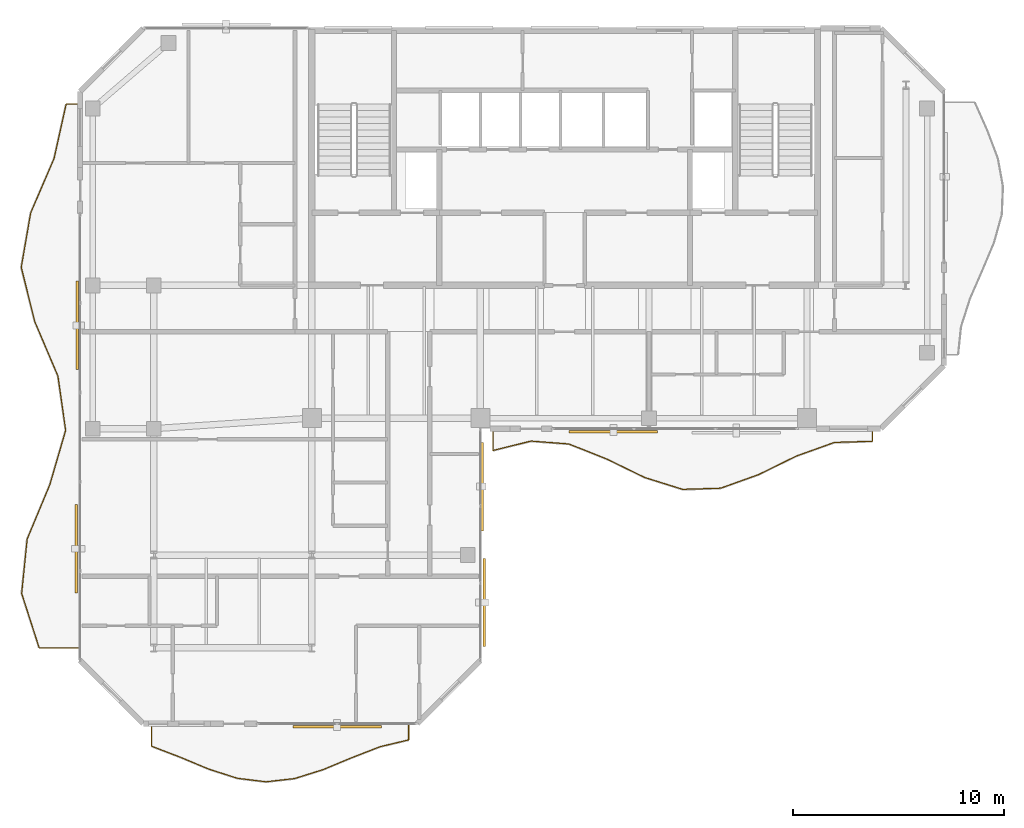
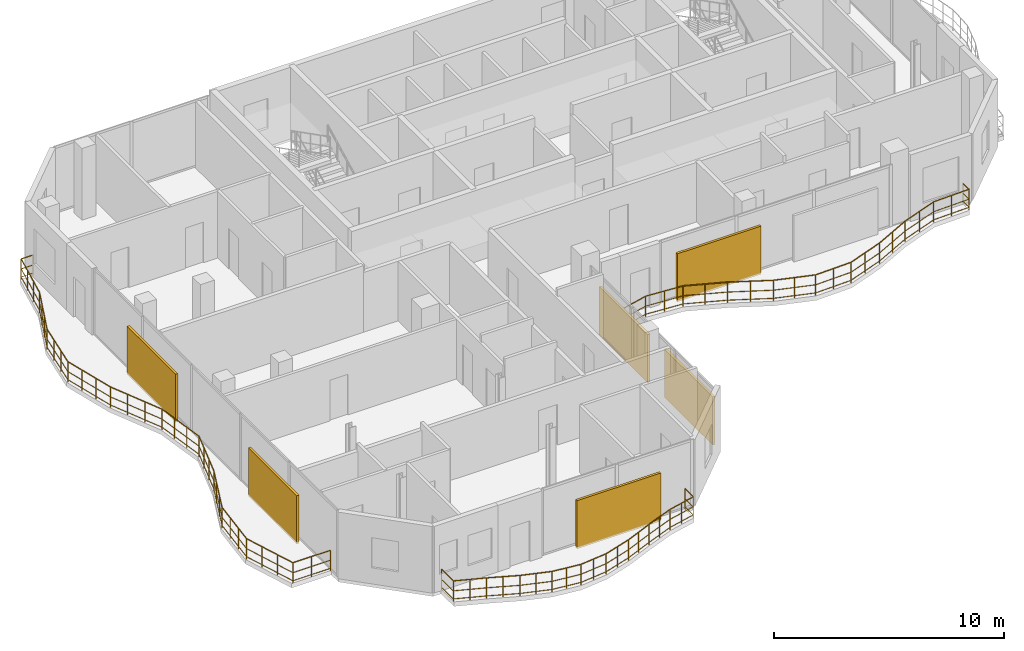
# One storey, part 21 of 22: 6 shading devices, 3 railings.
"""IFC4 building model written with IfcOpenShell, lengths in metres."""

from ifc_helpers import new_model, si_unit, direction, frame, origin, origin_2d, place, context, subcontext, project, spatial, rectangle, circle, extrude, material, type_object, element, save


model = new_model("IFC4")

# Units and contexts
model_context = context("Model", 3, precision=1e-05, world=origin(), true_north=direction((0.0, 1.0)))
body_context = subcontext(model_context, "Body", "Model", "MODEL_VIEW")
ifc_project = project(units=[si_unit("LENGTHUNIT", "METRE"), si_unit("AREAUNIT", "SQUARE_METRE"), si_unit("VOLUMEUNIT", "CUBIC_METRE"), si_unit("PLANEANGLEUNIT", "RADIAN"), si_unit("MASSUNIT", "GRAM", prefix="KILO")], contexts=[model_context])

# Site, building, storey
site_placement = place(None, origin())
site = spatial("IfcSite", under=ifc_project, at=site_placement, CompositionType="ELEMENT")
building_placement = place(site_placement, origin())
building = spatial("IfcBuilding", under=site, at=building_placement, Name="Catumbela Crestline Tower", CompositionType="ELEMENT")
storey_placement = place(building_placement, frame((0.0, 0.0, 260.2)))
storey = spatial("IfcBuildingStorey", under=building, at=storey_placement, Name="L67", CompositionType="ELEMENT", Elevation=260.2)

# Railings
ifc_material_1 = material(Name="Stainless steel EN 1.4401", Category="steel")
railing_type = type_object("IfcRailingType", Name="RB-1100", PredefinedType="BALUSTRADE", material=ifc_material_1)
railing_1_placement = place(storey_placement, frame((24.6, 23.94, 0.0)))
element("IfcRailing", 1, at=railing_1_placement, inside=storey, type_object=railing_type, Name="L67 Private Wave Balcony Balustrade 1", PredefinedType="BALUSTRADE", context=body_context, shape_type="SweptSolid", body=[
    extrude(circle(Radius=0.024, at=origin_2d()), frame((0.0, 0.0, 1.076), z_axis=(0.0, -1.0, 0.0), x_axis=(1.0, 0.0, 0.0)), (0.0, 0.0, 1.0), 0.9747),
    extrude(circle(Radius=0.0156, at=origin_2d()), frame((0.0, 0.0, 0.55), z_axis=(0.0, -1.0, 0.0), x_axis=(1.0, 0.0, 0.0)), (0.0, 0.0, 1.0), 0.9747),
    extrude(circle(Radius=0.0156, at=origin_2d()), frame((0.0, 0.0, 0.12), z_axis=(0.0, -1.0, 0.0), x_axis=(1.0, 0.0, 0.0)), (0.0, 0.0, 1.0), 0.9747),
    extrude(circle(Radius=0.024, at=origin_2d()), frame((0.0, -0.9747, 1.076), z_axis=(0.97081135802, 0.239844339395, 0.0), x_axis=(-0.239844339395, 0.97081135802, 0.0)), (0.0, 0.0, 1.0), 1.8541),
    extrude(circle(Radius=0.0156, at=origin_2d()), frame((0.0, -0.9747, 0.55), z_axis=(0.97081135802, 0.239844339395, 0.0), x_axis=(-0.239844339395, 0.97081135802, 0.0)), (0.0, 0.0, 1.0), 1.8541),
    extrude(circle(Radius=0.0156, at=origin_2d()), frame((0.0, -0.9747, 0.12), z_axis=(0.97081135802, 0.239844339395, 0.0), x_axis=(-0.239844339395, 0.97081135802, 0.0)), (0.0, 0.0, 1.0), 1.8541),
    extrude(circle(Radius=0.024, at=origin_2d()), frame((1.8, -0.53, 1.076), z_axis=(0.9971244509, -0.075781458268, 0.0), x_axis=(0.075781458268, 0.9971244509, 0.0)), (0.0, 0.0, 1.0), 1.8052),
    extrude(circle(Radius=0.0156, at=origin_2d()), frame((1.8, -0.53, 0.55), z_axis=(0.9971244509, -0.075781458268, 0.0), x_axis=(0.075781458268, 0.9971244509, 0.0)), (0.0, 0.0, 1.0), 1.8052),
    extrude(circle(Radius=0.0156, at=origin_2d()), frame((1.8, -0.53, 0.12), z_axis=(0.9971244509, -0.075781458268, 0.0), x_axis=(0.075781458268, 0.9971244509, 0.0)), (0.0, 0.0, 1.0), 1.8052),
    extrude(circle(Radius=0.024, at=origin_2d()), frame((3.6, -0.6668, 1.076), z_axis=(0.929399644581, -0.369074925526, 0.0), x_axis=(0.369074925526, 0.929399644581, 0.0)), (0.0, 0.0, 1.0), 1.9367),
    extrude(circle(Radius=0.0156, at=origin_2d()), frame((3.6, -0.6668, 0.55), z_axis=(0.929399644581, -0.369074925526, 0.0), x_axis=(0.369074925526, 0.929399644581, 0.0)), (0.0, 0.0, 1.0), 1.9367),
    extrude(circle(Radius=0.0156, at=origin_2d()), frame((3.6, -0.6668, 0.12), z_axis=(0.929399644581, -0.369074925526, 0.0), x_axis=(0.369074925526, 0.929399644581, 0.0)), (0.0, 0.0, 1.0), 1.9367),
    extrude(circle(Radius=0.024, at=origin_2d()), frame((5.4, -1.3816, 1.076), z_axis=(0.899073055886, -0.437798629714, 0.0), x_axis=(0.437798629714, 0.899073055886, 0.0)), (0.0, 0.0, 1.0), 2.0021),
    extrude(circle(Radius=0.0156, at=origin_2d()), frame((5.4, -1.3816, 0.55), z_axis=(0.899073055886, -0.437798629714, 0.0), x_axis=(0.437798629714, 0.899073055886, 0.0)), (0.0, 0.0, 1.0), 2.0021),
    extrude(circle(Radius=0.0156, at=origin_2d()), frame((5.4, -1.3816, 0.12), z_axis=(0.899073055886, -0.437798629714, 0.0), x_axis=(0.437798629714, 0.899073055886, 0.0)), (0.0, 0.0, 1.0), 2.0021),
    extrude(circle(Radius=0.024, at=origin_2d()), frame((7.2, -2.2581, 1.076), z_axis=(0.954374253933, -0.298613099897, 0.0), x_axis=(0.298613099897, 0.954374253933, 0.0)), (0.0, 0.0, 1.0), 1.8861),
    extrude(circle(Radius=0.0156, at=origin_2d()), frame((7.2, -2.2581, 0.55), z_axis=(0.954374253933, -0.298613099897, 0.0), x_axis=(0.298613099897, 0.954374253933, 0.0)), (0.0, 0.0, 1.0), 1.8861),
    extrude(circle(Radius=0.0156, at=origin_2d()), frame((7.2, -2.2581, 0.12), z_axis=(0.954374253933, -0.298613099897, 0.0), x_axis=(0.298613099897, 0.954374253933, 0.0)), (0.0, 0.0, 1.0), 1.8861),
    extrude(circle(Radius=0.024, at=origin_2d()), frame((9.0, -2.8213, 1.076), z_axis=(0.999524991442, 0.030818687236, 0.0), x_axis=(-0.030818687236, 0.999524991442, 0.0)), (0.0, 0.0, 1.0), 1.8009),
    extrude(circle(Radius=0.0156, at=origin_2d()), frame((9.0, -2.8213, 0.55), z_axis=(0.999524991442, 0.030818687236, 0.0), x_axis=(-0.030818687236, 0.999524991442, 0.0)), (0.0, 0.0, 1.0), 1.8009),
    extrude(circle(Radius=0.0156, at=origin_2d()), frame((9.0, -2.8213, 0.12), z_axis=(0.999524991442, 0.030818687236, 0.0), x_axis=(-0.030818687236, 0.999524991442, 0.0)), (0.0, 0.0, 1.0), 1.8009),
    extrude(circle(Radius=0.024, at=origin_2d()), frame((10.8, -2.7658, 1.076), z_axis=(0.941535818516, 0.336912900392, 0.0), x_axis=(-0.336912900392, 0.941535818516, 0.0)), (0.0, 0.0, 1.0), 1.9118),
    extrude(circle(Radius=0.0156, at=origin_2d()), frame((10.8, -2.7658, 0.55), z_axis=(0.941535818516, 0.336912900392, 0.0), x_axis=(-0.336912900392, 0.941535818516, 0.0)), (0.0, 0.0, 1.0), 1.9118),
    extrude(circle(Radius=0.0156, at=origin_2d()), frame((10.8, -2.7658, 0.12), z_axis=(0.941535818516, 0.336912900392, 0.0), x_axis=(-0.336912900392, 0.941535818516, 0.0)), (0.0, 0.0, 1.0), 1.9118),
    extrude(circle(Radius=0.024, at=origin_2d()), frame((12.6, -2.1217, 1.076), z_axis=(0.897714236936, 0.440578198283, 0.0), x_axis=(-0.440578198283, 0.897714236936, 0.0)), (0.0, 0.0, 1.0), 2.0051),
    extrude(circle(Radius=0.0156, at=origin_2d()), frame((12.6, -2.1217, 0.55), z_axis=(0.897714236936, 0.440578198283, 0.0), x_axis=(-0.440578198283, 0.897714236936, 0.0)), (0.0, 0.0, 1.0), 2.0051),
    extrude(circle(Radius=0.0156, at=origin_2d()), frame((12.6, -2.1217, 0.12), z_axis=(0.897714236936, 0.440578198283, 0.0), x_axis=(-0.440578198283, 0.897714236936, 0.0)), (0.0, 0.0, 1.0), 2.0051),
    extrude(circle(Radius=0.024, at=origin_2d()), frame((14.4, -1.2383, 1.076), z_axis=(0.941535818516, 0.336912900392, 0.0), x_axis=(-0.336912900392, 0.941535818516, 0.0)), (0.0, 0.0, 1.0), 1.9118),
    extrude(circle(Radius=0.0156, at=origin_2d()), frame((14.4, -1.2383, 0.55), z_axis=(0.941535818516, 0.336912900392, 0.0), x_axis=(-0.336912900392, 0.941535818516, 0.0)), (0.0, 0.0, 1.0), 1.9118),
    extrude(circle(Radius=0.0156, at=origin_2d()), frame((14.4, -1.2383, 0.12), z_axis=(0.941535818516, 0.336912900392, 0.0), x_axis=(-0.336912900392, 0.941535818516, 0.0)), (0.0, 0.0, 1.0), 1.9118),
    extrude(circle(Radius=0.024, at=origin_2d()), frame((16.2, -0.5942, 1.076), z_axis=(0.999524991442, 0.030818687236, 0.0), x_axis=(-0.030818687236, 0.999524991442, 0.0)), (0.0, 0.0, 1.0), 1.8009),
    extrude(circle(Radius=0.0156, at=origin_2d()), frame((16.2, -0.5942, 0.55), z_axis=(0.999524991442, 0.030818687236, 0.0), x_axis=(-0.030818687236, 0.999524991442, 0.0)), (0.0, 0.0, 1.0), 1.8009),
    extrude(circle(Radius=0.0156, at=origin_2d()), frame((16.2, -0.5942, 0.12), z_axis=(0.999524991442, 0.030818687236, 0.0), x_axis=(-0.030818687236, 0.999524991442, 0.0)), (0.0, 0.0, 1.0), 1.8009),
    extrude(circle(Radius=0.024, at=origin_2d()), frame((18.0, -0.5387, 1.076), z_axis=(0.0, 1.0, 0.0), x_axis=(-1.0, 0.0, 0.0)), (0.0, 0.0, 1.0), 0.5387),
    extrude(circle(Radius=0.0156, at=origin_2d()), frame((18.0, -0.5387, 0.55), z_axis=(0.0, 1.0, 0.0), x_axis=(-1.0, 0.0, 0.0)), (0.0, 0.0, 1.0), 0.5387),
    extrude(circle(Radius=0.0156, at=origin_2d()), frame((18.0, -0.5387, 0.12), z_axis=(0.0, 1.0, 0.0), x_axis=(-1.0, 0.0, 0.0)), (0.0, 0.0, 1.0), 0.5387),
    extrude(circle(Radius=0.021, at=origin_2d()), origin(), (0.0, 0.0, 1.0), 1.052),
    extrude(circle(Radius=0.021, at=origin_2d()), frame((0.0, -0.9747, 0.0)), (0.0, 0.0, 1.0), 1.052),
    extrude(circle(Radius=0.021, at=origin_2d()), frame((0.9, -0.7524, 0.0)), (0.0, 0.0, 1.0), 1.052),
    extrude(circle(Radius=0.021, at=origin_2d()), frame((1.8, -0.53, 0.0)), (0.0, 0.0, 1.0), 1.052),
    extrude(circle(Radius=0.021, at=origin_2d()), frame((2.7, -0.5984, 0.0)), (0.0, 0.0, 1.0), 1.052),
    extrude(circle(Radius=0.021, at=origin_2d()), frame((3.6, -0.6668, 0.0)), (0.0, 0.0, 1.0), 1.052),
    extrude(circle(Radius=0.021, at=origin_2d()), frame((4.5, -1.0242, 0.0)), (0.0, 0.0, 1.0), 1.052),
    extrude(circle(Radius=0.021, at=origin_2d()), frame((5.4, -1.3816, 0.0)), (0.0, 0.0, 1.0), 1.052),
    extrude(circle(Radius=0.021, at=origin_2d()), frame((6.3, -1.8199, 0.0)), (0.0, 0.0, 1.0), 1.052),
    extrude(circle(Radius=0.021, at=origin_2d()), frame((7.2, -2.2581, 0.0)), (0.0, 0.0, 1.0), 1.052),
    extrude(circle(Radius=0.021, at=origin_2d()), frame((8.1, -2.5397, 0.0)), (0.0, 0.0, 1.0), 1.052),
    extrude(circle(Radius=0.021, at=origin_2d()), frame((9.0, -2.8213, 0.0)), (0.0, 0.0, 1.0), 1.052),
    extrude(circle(Radius=0.021, at=origin_2d()), frame((9.9, -2.7936, 0.0)), (0.0, 0.0, 1.0), 1.052),
    extrude(circle(Radius=0.021, at=origin_2d()), frame((10.8, -2.7658, 0.0)), (0.0, 0.0, 1.0), 1.052),
    extrude(circle(Radius=0.021, at=origin_2d()), frame((11.7, -2.4438, 0.0)), (0.0, 0.0, 1.0), 1.052),
    extrude(circle(Radius=0.021, at=origin_2d()), frame((12.6, -2.1217, 0.0)), (0.0, 0.0, 1.0), 1.052),
    extrude(circle(Radius=0.021, at=origin_2d()), frame((13.5, -1.68, 0.0)), (0.0, 0.0, 1.0), 1.052),
    extrude(circle(Radius=0.021, at=origin_2d()), frame((14.4, -1.2383, 0.0)), (0.0, 0.0, 1.0), 1.052),
    extrude(circle(Radius=0.021, at=origin_2d()), frame((15.3, -0.9163, 0.0)), (0.0, 0.0, 1.0), 1.052),
    extrude(circle(Radius=0.021, at=origin_2d()), frame((16.2, -0.5942, 0.0)), (0.0, 0.0, 1.0), 1.052),
    extrude(circle(Radius=0.021, at=origin_2d()), frame((17.1, -0.5665, 0.0)), (0.0, 0.0, 1.0), 1.052),
    extrude(circle(Radius=0.021, at=origin_2d()), frame((18.0, -0.5387, 0.0)), (0.0, 0.0, 1.0), 1.052),
    extrude(circle(Radius=0.021, at=origin_2d()), frame((18.0, 0.0, 0.0)), (0.0, 0.0, 1.0), 1.052),
])
railing_2_placement = place(storey_placement, frame((8.4, 9.94, 0.0)))
element("IfcRailing", 2, at=railing_2_placement, inside=storey, type_object=railing_type, Name="L67 Private Wave Balcony Balustrade 3", PredefinedType="BALUSTRADE", context=body_context, shape_type="SweptSolid", body=[
    extrude(circle(Radius=0.024, at=origin_2d()), frame((0.0, 0.0, 1.076), z_axis=(0.0, -1.0, 0.0), x_axis=(1.0, 0.0, 0.0)), (0.0, 0.0, 1.0), 1.0126),
    extrude(circle(Radius=0.0156, at=origin_2d()), frame((0.0, 0.0, 0.55), z_axis=(0.0, -1.0, 0.0), x_axis=(1.0, 0.0, 0.0)), (0.0, 0.0, 1.0), 1.0126),
    extrude(circle(Radius=0.0156, at=origin_2d()), frame((0.0, 0.0, 0.12), z_axis=(0.0, -1.0, 0.0), x_axis=(1.0, 0.0, 0.0)), (0.0, 0.0, 1.0), 1.0126),
    extrude(circle(Radius=0.024, at=origin_2d()), frame((0.0, -1.0126, 1.076), z_axis=(0.933756860318, -0.357907985115, 0.0), x_axis=(0.357907985115, 0.933756860318, 0.0)), (0.0, 0.0, 1.0), 1.4518),
    extrude(circle(Radius=0.0156, at=origin_2d()), frame((0.0, -1.0126, 0.55), z_axis=(0.933756860318, -0.357907985115, 0.0), x_axis=(0.357907985115, 0.933756860318, 0.0)), (0.0, 0.0, 1.0), 1.4518),
    extrude(circle(Radius=0.0156, at=origin_2d()), frame((0.0, -1.0126, 0.12), z_axis=(0.933756860318, -0.357907985115, 0.0), x_axis=(0.357907985115, 0.933756860318, 0.0)), (0.0, 0.0, 1.0), 1.4518),
    extrude(circle(Radius=0.024, at=origin_2d()), frame((1.3556, -1.5322, 1.076), z_axis=(0.922808814946, -0.385258213484, 0.0), x_axis=(0.385258213484, 0.922808814946, 0.0)), (0.0, 0.0, 1.0), 1.4689),
    extrude(circle(Radius=0.0156, at=origin_2d()), frame((1.3556, -1.5322, 0.55), z_axis=(0.922808814946, -0.385258213484, 0.0), x_axis=(0.385258213484, 0.922808814946, 0.0)), (0.0, 0.0, 1.0), 1.4689),
    extrude(circle(Radius=0.0156, at=origin_2d()), frame((1.3556, -1.5322, 0.12), z_axis=(0.922808814946, -0.385258213484, 0.0), x_axis=(0.385258213484, 0.922808814946, 0.0)), (0.0, 0.0, 1.0), 1.4689),
    extrude(circle(Radius=0.024, at=origin_2d()), frame((2.7111, -2.0981, 1.076), z_axis=(0.952238826907, -0.305354247607, 0.0), x_axis=(0.305354247607, 0.952238826907, 0.0)), (0.0, 0.0, 1.0), 1.4236),
    extrude(circle(Radius=0.0156, at=origin_2d()), frame((2.7111, -2.0981, 0.55), z_axis=(0.952238826907, -0.305354247607, 0.0), x_axis=(0.305354247607, 0.952238826907, 0.0)), (0.0, 0.0, 1.0), 1.4236),
    extrude(circle(Radius=0.0156, at=origin_2d()), frame((2.7111, -2.0981, 0.12), z_axis=(0.952238826907, -0.305354247607, 0.0), x_axis=(0.305354247607, 0.952238826907, 0.0)), (0.0, 0.0, 1.0), 1.4236),
    extrude(circle(Radius=0.024, at=origin_2d()), frame((4.0667, -2.5328, 1.076), z_axis=(0.992487091948, -0.122349386252, 0.0), x_axis=(0.122349386252, 0.992487091948, 0.0)), (0.0, 0.0, 1.0), 1.3658),
    extrude(circle(Radius=0.0156, at=origin_2d()), frame((4.0667, -2.5328, 0.55), z_axis=(0.992487091948, -0.122349386252, 0.0), x_axis=(0.122349386252, 0.992487091948, 0.0)), (0.0, 0.0, 1.0), 1.3658),
    extrude(circle(Radius=0.0156, at=origin_2d()), frame((4.0667, -2.5328, 0.12), z_axis=(0.992487091948, -0.122349386252, 0.0), x_axis=(0.122349386252, 0.992487091948, 0.0)), (0.0, 0.0, 1.0), 1.3658),
    extrude(circle(Radius=0.024, at=origin_2d()), frame((5.4222, -2.6999, 1.076), z_axis=(0.993690941314, 0.112153079095, 0.0), x_axis=(-0.112153079095, 0.993690941314, 0.0)), (0.0, 0.0, 1.0), 1.3642),
    extrude(circle(Radius=0.0156, at=origin_2d()), frame((5.4222, -2.6999, 0.55), z_axis=(0.993690941314, 0.112153079095, 0.0), x_axis=(-0.112153079095, 0.993690941314, 0.0)), (0.0, 0.0, 1.0), 1.3642),
    extrude(circle(Radius=0.0156, at=origin_2d()), frame((5.4222, -2.6999, 0.12), z_axis=(0.993690941314, 0.112153079095, 0.0), x_axis=(-0.112153079095, 0.993690941314, 0.0)), (0.0, 0.0, 1.0), 1.3642),
    extrude(circle(Radius=0.024, at=origin_2d()), frame((6.7778, -2.5469, 1.076), z_axis=(0.954177625861, 0.299240803212, 0.0), x_axis=(-0.299240803212, 0.954177625861, 0.0)), (0.0, 0.0, 1.0), 1.4206),
    extrude(circle(Radius=0.0156, at=origin_2d()), frame((6.7778, -2.5469, 0.55), z_axis=(0.954177625861, 0.299240803212, 0.0), x_axis=(-0.299240803212, 0.954177625861, 0.0)), (0.0, 0.0, 1.0), 1.4206),
    extrude(circle(Radius=0.0156, at=origin_2d()), frame((6.7778, -2.5469, 0.12), z_axis=(0.954177625861, 0.299240803212, 0.0), x_axis=(-0.299240803212, 0.954177625861, 0.0)), (0.0, 0.0, 1.0), 1.4206),
    extrude(circle(Radius=0.024, at=origin_2d()), frame((8.1333, -2.1218, 1.076), z_axis=(0.92335075611, 0.383957525243, 0.0), x_axis=(-0.383957525243, 0.92335075611, 0.0)), (0.0, 0.0, 1.0), 1.4681),
    extrude(circle(Radius=0.0156, at=origin_2d()), frame((8.1333, -2.1218, 0.55), z_axis=(0.92335075611, 0.383957525243, 0.0), x_axis=(-0.383957525243, 0.92335075611, 0.0)), (0.0, 0.0, 1.0), 1.4681),
    extrude(circle(Radius=0.0156, at=origin_2d()), frame((8.1333, -2.1218, 0.12), z_axis=(0.92335075611, 0.383957525243, 0.0), x_axis=(-0.383957525243, 0.92335075611, 0.0)), (0.0, 0.0, 1.0), 1.4681),
    extrude(circle(Radius=0.024, at=origin_2d()), frame((9.4889, -1.5581, 1.076), z_axis=(0.932384965915, 0.361466838501, 0.0), x_axis=(-0.361466838501, 0.932384965915, 0.0)), (0.0, 0.0, 1.0), 1.4538),
    extrude(circle(Radius=0.0156, at=origin_2d()), frame((9.4889, -1.5581, 0.55), z_axis=(0.932384965915, 0.361466838501, 0.0), x_axis=(-0.361466838501, 0.932384965915, 0.0)), (0.0, 0.0, 1.0), 1.4538),
    extrude(circle(Radius=0.0156, at=origin_2d()), frame((9.4889, -1.5581, 0.12), z_axis=(0.932384965915, 0.361466838501, 0.0), x_axis=(-0.361466838501, 0.932384965915, 0.0)), (0.0, 0.0, 1.0), 1.4538),
    extrude(circle(Radius=0.024, at=origin_2d()), frame((10.8444, -1.0326, 1.076), z_axis=(0.972880857793, 0.231306801761, 0.0), x_axis=(-0.231306801761, 0.972880857793, 0.0)), (0.0, 0.0, 1.0), 1.3934),
    extrude(circle(Radius=0.0156, at=origin_2d()), frame((10.8444, -1.0326, 0.55), z_axis=(0.972880857793, 0.231306801761, 0.0), x_axis=(-0.231306801761, 0.972880857793, 0.0)), (0.0, 0.0, 1.0), 1.3934),
    extrude(circle(Radius=0.0156, at=origin_2d()), frame((10.8444, -1.0326, 0.12), z_axis=(0.972880857793, 0.231306801761, 0.0), x_axis=(-0.231306801761, 0.972880857793, 0.0)), (0.0, 0.0, 1.0), 1.3934),
    extrude(circle(Radius=0.024, at=origin_2d()), frame((12.2, -0.7103, 1.076), z_axis=(0.0, 1.0, 0.0), x_axis=(-1.0, 0.0, 0.0)), (0.0, 0.0, 1.0), 0.7103),
    extrude(circle(Radius=0.0156, at=origin_2d()), frame((12.2, -0.7103, 0.55), z_axis=(0.0, 1.0, 0.0), x_axis=(-1.0, 0.0, 0.0)), (0.0, 0.0, 1.0), 0.7103),
    extrude(circle(Radius=0.0156, at=origin_2d()), frame((12.2, -0.7103, 0.12), z_axis=(0.0, 1.0, 0.0), x_axis=(-1.0, 0.0, 0.0)), (0.0, 0.0, 1.0), 0.7103),
    extrude(circle(Radius=0.021, at=origin_2d()), origin(), (0.0, 0.0, 1.0), 1.052),
    extrude(circle(Radius=0.021, at=origin_2d()), frame((0.0, -1.0126, 0.0)), (0.0, 0.0, 1.0), 1.052),
    extrude(circle(Radius=0.021, at=origin_2d()), frame((0.6778, -1.2724, 0.0)), (0.0, 0.0, 1.0), 1.052),
    extrude(circle(Radius=0.021, at=origin_2d()), frame((1.3556, -1.5322, 0.0)), (0.0, 0.0, 1.0), 1.052),
    extrude(circle(Radius=0.021, at=origin_2d()), frame((2.0333, -1.8151, 0.0)), (0.0, 0.0, 1.0), 1.052),
    extrude(circle(Radius=0.021, at=origin_2d()), frame((2.7111, -2.0981, 0.0)), (0.0, 0.0, 1.0), 1.052),
    extrude(circle(Radius=0.021, at=origin_2d()), frame((3.3889, -2.3154, 0.0)), (0.0, 0.0, 1.0), 1.052),
    extrude(circle(Radius=0.021, at=origin_2d()), frame((4.0667, -2.5328, 0.0)), (0.0, 0.0, 1.0), 1.052),
    extrude(circle(Radius=0.021, at=origin_2d()), frame((4.7444, -2.6163, 0.0)), (0.0, 0.0, 1.0), 1.052),
    extrude(circle(Radius=0.021, at=origin_2d()), frame((5.4222, -2.6999, 0.0)), (0.0, 0.0, 1.0), 1.052),
    extrude(circle(Radius=0.021, at=origin_2d()), frame((6.1, -2.6234, 0.0)), (0.0, 0.0, 1.0), 1.052),
    extrude(circle(Radius=0.021, at=origin_2d()), frame((6.7778, -2.5469, 0.0)), (0.0, 0.0, 1.0), 1.052),
    extrude(circle(Radius=0.021, at=origin_2d()), frame((7.4556, -2.3343, 0.0)), (0.0, 0.0, 1.0), 1.052),
    extrude(circle(Radius=0.021, at=origin_2d()), frame((8.1333, -2.1218, 0.0)), (0.0, 0.0, 1.0), 1.052),
    extrude(circle(Radius=0.021, at=origin_2d()), frame((8.8111, -1.8399, 0.0)), (0.0, 0.0, 1.0), 1.052),
    extrude(circle(Radius=0.021, at=origin_2d()), frame((9.4889, -1.5581, 0.0)), (0.0, 0.0, 1.0), 1.052),
    extrude(circle(Radius=0.021, at=origin_2d()), frame((10.1666, -1.2953, 0.0)), (0.0, 0.0, 1.0), 1.052),
    extrude(circle(Radius=0.021, at=origin_2d()), frame((10.8444, -1.0326, 0.0)), (0.0, 0.0, 1.0), 1.052),
    extrude(circle(Radius=0.021, at=origin_2d()), frame((11.5222, -0.8714, 0.0)), (0.0, 0.0, 1.0), 1.052),
    extrude(circle(Radius=0.021, at=origin_2d()), frame((12.2, -0.7103, 0.0)), (0.0, 0.0, 1.0), 1.052),
    extrude(circle(Radius=0.021, at=origin_2d()), frame((12.2, 0.0, 0.0)), (0.0, 0.0, 1.0), 1.052),
])
railing_3_placement = place(storey_placement, frame((4.94, 39.4, 0.0)))
element("IfcRailing", 3, at=railing_3_placement, inside=storey, type_object=railing_type, Name="L67 Private Wave Balcony Balustrade 4", PredefinedType="BALUSTRADE", context=body_context, shape_type="SweptSolid", body=[
    extrude(circle(Radius=0.024, at=origin_2d()), frame((0.0, 0.0, 1.076), z_axis=(-1.0, 0.0, 0.0), x_axis=(0.0, -1.0, 0.0)), (0.0, 0.0, 1.0), 0.6),
    extrude(circle(Radius=0.0156, at=origin_2d()), frame((0.0, 0.0, 0.55), z_axis=(-1.0, 0.0, 0.0), x_axis=(0.0, -1.0, 0.0)), (0.0, 0.0, 1.0), 0.6),
    extrude(circle(Radius=0.0156, at=origin_2d()), frame((0.0, 0.0, 0.12), z_axis=(-1.0, 0.0, 0.0), x_axis=(0.0, -1.0, 0.0)), (0.0, 0.0, 1.0), 0.6),
    extrude(circle(Radius=0.024, at=origin_2d()), frame((-0.6, 0.0, 1.076), z_axis=(-0.21691843905, -0.976189730944, 0.0), x_axis=(0.976189730944, -0.21691843905, 0.0)), (0.0, 0.0, 1.0), 2.6429),
    extrude(circle(Radius=0.0156, at=origin_2d()), frame((-0.6, 0.0, 0.55), z_axis=(-0.21691843905, -0.976189730944, 0.0), x_axis=(0.976189730944, -0.21691843905, 0.0)), (0.0, 0.0, 1.0), 2.6429),
    extrude(circle(Radius=0.0156, at=origin_2d()), frame((-0.6, 0.0, 0.12), z_axis=(-0.21691843905, -0.976189730944, 0.0), x_axis=(0.976189730944, -0.21691843905, 0.0)), (0.0, 0.0, 1.0), 2.6429),
    extrude(circle(Radius=0.024, at=origin_2d()), frame((-1.1733, -2.58, 1.076), z_axis=(-0.395117897707, -0.918630419108, 0.0), x_axis=(0.918630419108, -0.395117897707, 0.0)), (0.0, 0.0, 1.0), 2.8085),
    extrude(circle(Radius=0.0156, at=origin_2d()), frame((-1.1733, -2.58, 0.55), z_axis=(-0.395117897707, -0.918630419108, 0.0), x_axis=(0.918630419108, -0.395117897707, 0.0)), (0.0, 0.0, 1.0), 2.8085),
    extrude(circle(Radius=0.0156, at=origin_2d()), frame((-1.1733, -2.58, 0.12), z_axis=(-0.395117897707, -0.918630419108, 0.0), x_axis=(0.918630419108, -0.395117897707, 0.0)), (0.0, 0.0, 1.0), 2.8085),
    extrude(circle(Radius=0.024, at=origin_2d()), frame((-2.283, -5.16, 1.076), z_axis=(-0.170712569492, -0.985320870893, 0.0), x_axis=(0.985320870893, -0.170712569492, 0.0)), (0.0, 0.0, 1.0), 2.6184),
    extrude(circle(Radius=0.0156, at=origin_2d()), frame((-2.283, -5.16, 0.55), z_axis=(-0.170712569492, -0.985320870893, 0.0), x_axis=(0.985320870893, -0.170712569492, 0.0)), (0.0, 0.0, 1.0), 2.6184),
    extrude(circle(Radius=0.0156, at=origin_2d()), frame((-2.283, -5.16, 0.12), z_axis=(-0.170712569492, -0.985320870893, 0.0), x_axis=(0.985320870893, -0.170712569492, 0.0)), (0.0, 0.0, 1.0), 2.6184),
    extrude(circle(Radius=0.024, at=origin_2d()), frame((-2.73, -7.74, 1.076), z_axis=(0.241331788548, -0.970442665919, 0.0), x_axis=(0.970442665919, 0.241331788548, 0.0)), (0.0, 0.0, 1.0), 2.6586),
    extrude(circle(Radius=0.0156, at=origin_2d()), frame((-2.73, -7.74, 0.55), z_axis=(0.241331788548, -0.970442665919, 0.0), x_axis=(0.970442665919, 0.241331788548, 0.0)), (0.0, 0.0, 1.0), 2.6586),
    extrude(circle(Radius=0.0156, at=origin_2d()), frame((-2.73, -7.74, 0.12), z_axis=(0.241331788548, -0.970442665919, 0.0), x_axis=(0.970442665919, 0.241331788548, 0.0)), (0.0, 0.0, 1.0), 2.6586),
    extrude(circle(Radius=0.024, at=origin_2d()), frame((-2.0884, -10.32, 1.076), z_axis=(0.391684292578, -0.920099676637, 0.0), x_axis=(0.920099676637, 0.391684292578, 0.0)), (0.0, 0.0, 1.0), 2.804),
    extrude(circle(Radius=0.0156, at=origin_2d()), frame((-2.0884, -10.32, 0.55), z_axis=(0.391684292578, -0.920099676637, 0.0), x_axis=(0.920099676637, 0.391684292578, 0.0)), (0.0, 0.0, 1.0), 2.804),
    extrude(circle(Radius=0.0156, at=origin_2d()), frame((-2.0884, -10.32, 0.12), z_axis=(0.391684292578, -0.920099676637, 0.0), x_axis=(0.920099676637, 0.391684292578, 0.0)), (0.0, 0.0, 1.0), 2.804),
    extrude(circle(Radius=0.024, at=origin_2d()), frame((-0.9901, -12.9, 1.076), z_axis=(0.14120647349, -0.9899801674, 0.0), x_axis=(0.9899801674, 0.14120647349, 0.0)), (0.0, 0.0, 1.0), 2.6061),
    extrude(circle(Radius=0.0156, at=origin_2d()), frame((-0.9901, -12.9, 0.55), z_axis=(0.14120647349, -0.9899801674, 0.0), x_axis=(0.9899801674, 0.14120647349, 0.0)), (0.0, 0.0, 1.0), 2.6061),
    extrude(circle(Radius=0.0156, at=origin_2d()), frame((-0.9901, -12.9, 0.12), z_axis=(0.14120647349, -0.9899801674, 0.0), x_axis=(0.9899801674, 0.14120647349, 0.0)), (0.0, 0.0, 1.0), 2.6061),
    extrude(circle(Radius=0.024, at=origin_2d()), frame((-0.6221, -15.48, 1.076), z_axis=(-0.279794228152, -0.960059992861, 0.0), x_axis=(0.960059992861, -0.279794228152, 0.0)), (0.0, 0.0, 1.0), 2.6873),
    extrude(circle(Radius=0.0156, at=origin_2d()), frame((-0.6221, -15.48, 0.55), z_axis=(-0.279794228152, -0.960059992861, 0.0), x_axis=(0.960059992861, -0.279794228152, 0.0)), (0.0, 0.0, 1.0), 2.6873),
    extrude(circle(Radius=0.0156, at=origin_2d()), frame((-0.6221, -15.48, 0.12), z_axis=(-0.279794228152, -0.960059992861, 0.0), x_axis=(0.960059992861, -0.279794228152, 0.0)), (0.0, 0.0, 1.0), 2.6873),
    extrude(circle(Radius=0.024, at=origin_2d()), frame((-1.374, -18.06, 1.076), z_axis=(-0.384859228707, -0.922975283569, 0.0), x_axis=(0.922975283569, -0.384859228707, 0.0)), (0.0, 0.0, 1.0), 2.7953),
    extrude(circle(Radius=0.0156, at=origin_2d()), frame((-1.374, -18.06, 0.55), z_axis=(-0.384859228707, -0.922975283569, 0.0), x_axis=(0.922975283569, -0.384859228707, 0.0)), (0.0, 0.0, 1.0), 2.7953),
    extrude(circle(Radius=0.0156, at=origin_2d()), frame((-1.374, -18.06, 0.12), z_axis=(-0.384859228707, -0.922975283569, 0.0), x_axis=(0.922975283569, -0.384859228707, 0.0)), (0.0, 0.0, 1.0), 2.7953),
    extrude(circle(Radius=0.024, at=origin_2d()), frame((-2.4498, -20.64, 1.076), z_axis=(-0.100610912369, -0.99492584865, 0.0), x_axis=(0.99492584865, -0.100610912369, 0.0)), (0.0, 0.0, 1.0), 2.5932),
    extrude(circle(Radius=0.0156, at=origin_2d()), frame((-2.4498, -20.64, 0.55), z_axis=(-0.100610912369, -0.99492584865, 0.0), x_axis=(0.99492584865, -0.100610912369, 0.0)), (0.0, 0.0, 1.0), 2.5932),
    extrude(circle(Radius=0.0156, at=origin_2d()), frame((-2.4498, -20.64, 0.12), z_axis=(-0.100610912369, -0.99492584865, 0.0), x_axis=(0.99492584865, -0.100610912369, 0.0)), (0.0, 0.0, 1.0), 2.5932),
    extrude(circle(Radius=0.024, at=origin_2d()), frame((-2.7107, -23.22, 1.076), z_axis=(0.306314915222, -0.951930235213, 0.0), x_axis=(0.951930235213, 0.306314915222, 0.0)), (0.0, 0.0, 1.0), 2.7103),
    extrude(circle(Radius=0.0156, at=origin_2d()), frame((-2.7107, -23.22, 0.55), z_axis=(0.306314915222, -0.951930235213, 0.0), x_axis=(0.951930235213, 0.306314915222, 0.0)), (0.0, 0.0, 1.0), 2.7103),
    extrude(circle(Radius=0.0156, at=origin_2d()), frame((-2.7107, -23.22, 0.12), z_axis=(0.306314915222, -0.951930235213, 0.0), x_axis=(0.951930235213, 0.306314915222, 0.0)), (0.0, 0.0, 1.0), 2.7103),
    extrude(circle(Radius=0.024, at=origin_2d()), frame((-1.8805, -25.8, 1.076), z_axis=(1.0, 0.0, 0.0), x_axis=(0.0, 1.0, 0.0)), (0.0, 0.0, 1.0), 1.8805),
    extrude(circle(Radius=0.0156, at=origin_2d()), frame((-1.8805, -25.8, 0.55), z_axis=(1.0, 0.0, 0.0), x_axis=(0.0, 1.0, 0.0)), (0.0, 0.0, 1.0), 1.8805),
    extrude(circle(Radius=0.0156, at=origin_2d()), frame((-1.8805, -25.8, 0.12), z_axis=(1.0, 0.0, 0.0), x_axis=(0.0, 1.0, 0.0)), (0.0, 0.0, 1.0), 1.8805),
    extrude(circle(Radius=0.021, at=origin_2d()), origin(), (0.0, 0.0, 1.0), 1.052),
    extrude(circle(Radius=0.021, at=origin_2d()), frame((-0.6, 0.0, 0.0)), (0.0, 0.0, 1.0), 1.052),
    extrude(circle(Radius=0.021, at=origin_2d()), frame((-0.7911, -0.86, 0.0)), (0.0, 0.0, 1.0), 1.052),
    extrude(circle(Radius=0.021, at=origin_2d()), frame((-0.9822, -1.72, 0.0)), (0.0, 0.0, 1.0), 1.052),
    extrude(circle(Radius=0.021, at=origin_2d()), frame((-1.1733, -2.58, 0.0)), (0.0, 0.0, 1.0), 1.052),
    extrude(circle(Radius=0.021, at=origin_2d()), frame((-1.5432, -3.44, 0.0)), (0.0, 0.0, 1.0), 1.052),
    extrude(circle(Radius=0.021, at=origin_2d()), frame((-1.9131, -4.3, 0.0)), (0.0, 0.0, 1.0), 1.052),
    extrude(circle(Radius=0.021, at=origin_2d()), frame((-2.283, -5.16, 0.0)), (0.0, 0.0, 1.0), 1.052),
    extrude(circle(Radius=0.021, at=origin_2d()), frame((-2.432, -6.02, 0.0)), (0.0, 0.0, 1.0), 1.052),
    extrude(circle(Radius=0.021, at=origin_2d()), frame((-2.581, -6.88, 0.0)), (0.0, 0.0, 1.0), 1.052),
    extrude(circle(Radius=0.021, at=origin_2d()), frame((-2.73, -7.74, 0.0)), (0.0, 0.0, 1.0), 1.052),
    extrude(circle(Radius=0.021, at=origin_2d()), frame((-2.5161, -8.6, 0.0)), (0.0, 0.0, 1.0), 1.052),
    extrude(circle(Radius=0.021, at=origin_2d()), frame((-2.3023, -9.46, 0.0)), (0.0, 0.0, 1.0), 1.052),
    extrude(circle(Radius=0.021, at=origin_2d()), frame((-2.0884, -10.32, 0.0)), (0.0, 0.0, 1.0), 1.052),
    extrude(circle(Radius=0.021, at=origin_2d()), frame((-1.7223, -11.18, 0.0)), (0.0, 0.0, 1.0), 1.052),
    extrude(circle(Radius=0.021, at=origin_2d()), frame((-1.3562, -12.04, 0.0)), (0.0, 0.0, 1.0), 1.052),
    extrude(circle(Radius=0.021, at=origin_2d()), frame((-0.9901, -12.9, 0.0)), (0.0, 0.0, 1.0), 1.052),
    extrude(circle(Radius=0.021, at=origin_2d()), frame((-0.8674, -13.76, 0.0)), (0.0, 0.0, 1.0), 1.052),
    extrude(circle(Radius=0.021, at=origin_2d()), frame((-0.7448, -14.62, 0.0)), (0.0, 0.0, 1.0), 1.052),
    extrude(circle(Radius=0.021, at=origin_2d()), frame((-0.6221, -15.48, 0.0)), (0.0, 0.0, 1.0), 1.052),
    extrude(circle(Radius=0.021, at=origin_2d()), frame((-0.8727, -16.34, 0.0)), (0.0, 0.0, 1.0), 1.052),
    extrude(circle(Radius=0.021, at=origin_2d()), frame((-1.1234, -17.2, 0.0)), (0.0, 0.0, 1.0), 1.052),
    extrude(circle(Radius=0.021, at=origin_2d()), frame((-1.374, -18.06, 0.0)), (0.0, 0.0, 1.0), 1.052),
    extrude(circle(Radius=0.021, at=origin_2d()), frame((-1.7326, -18.92, 0.0)), (0.0, 0.0, 1.0), 1.052),
    extrude(circle(Radius=0.021, at=origin_2d()), frame((-2.0912, -19.78, 0.0)), (0.0, 0.0, 1.0), 1.052),
    extrude(circle(Radius=0.021, at=origin_2d()), frame((-2.4498, -20.64, 0.0)), (0.0, 0.0, 1.0), 1.052),
    extrude(circle(Radius=0.021, at=origin_2d()), frame((-2.5368, -21.5, 0.0)), (0.0, 0.0, 1.0), 1.052),
    extrude(circle(Radius=0.021, at=origin_2d()), frame((-2.6237, -22.36, 0.0)), (0.0, 0.0, 1.0), 1.052),
    extrude(circle(Radius=0.021, at=origin_2d()), frame((-2.7107, -23.22, 0.0)), (0.0, 0.0, 1.0), 1.052),
    extrude(circle(Radius=0.021, at=origin_2d()), frame((-2.434, -24.08, 0.0)), (0.0, 0.0, 1.0), 1.052),
    extrude(circle(Radius=0.021, at=origin_2d()), frame((-2.1572, -24.94, 0.0)), (0.0, 0.0, 1.0), 1.052),
    extrude(circle(Radius=0.021, at=origin_2d()), frame((-1.8805, -25.8, 0.0)), (0.0, 0.0, 1.0), 1.052),
    extrude(circle(Radius=0.021, at=origin_2d()), frame((-0.9403, -25.8, 0.0)), (0.0, 0.0, 1.0), 1.052),
    extrude(circle(Radius=0.021, at=origin_2d()), frame((0.0, -25.8, 0.0)), (0.0, 0.0, 1.0), 1.052),
])

# Shading devices
ifc_material_2 = material(Name="Extruded terracotta ceramic", Category="masonry")
shading_device_type_1 = type_object("IfcShadingDeviceType", Name="ST-180", PredefinedType="USERDEFINED", material=ifc_material_2)
shading_device_placement = place(storey_placement, frame((24.099, 21.25, -0.1), z_axis=(0.0, 0.0, 1.0), x_axis=(0.0, 1.0, 0.0)))
element("IfcShadingDevice", 4, at=shading_device_placement, inside=storey, type_object=shading_device_type_1, Name="L67 Perforated Terracotta Solar Screen 817 (180 mm)", ObjectType="SCREEN", PredefinedType="USERDEFINED", context=body_context, shape_type="SweptSolid", body=[
    extrude(rectangle(XDim=4.2, YDim=0.12, at=origin_2d()), origin(), (0.0, 0.0, 1.0), 2.55),
])
shading_device_type_2 = type_object("IfcShadingDeviceType", Name="ST-260", PredefinedType="USERDEFINED", material=ifc_material_2)
for number, where, z_axis, x_axis, name in (
    (5, (17.2, 9.857, -0.1), (0.0, 0.0, 1.0), (1.0, 0.0, 0.0), "L67 Perforated Terracotta Solar Screen 815 (260 mm)"),
    (6, (30.3125, 23.857, -0.1), (0.0, 0.0, 1.0), (1.0, 0.0, 0.0), "L67 Perforated Terracotta Solar Screen 818 (260 mm)"),
    (7, (4.857, 28.9, -0.1), (0.0, 0.0, 1.0), (0.0, -1.0, 0.0), "L67 Perforated Terracotta Solar Screen 822 (260 mm)"),
):
    element("IfcShadingDevice", number, at=place(storey_placement, frame(where, z_axis=z_axis, x_axis=x_axis)), inside=storey, type_object=shading_device_type_2, Name=name, ObjectType="SCREEN", PredefinedType="USERDEFINED", context=body_context, shape_type="SweptSolid", body=[
        extrude(rectangle(XDim=4.2, YDim=0.12, at=origin_2d()), origin(), (0.0, 0.0, 1.0), 2.55),
    ])
shading_device_type_3 = type_object("IfcShadingDeviceType", Name="ST-340", PredefinedType="USERDEFINED", material=ifc_material_2)
for number, where, z_axis, x_axis, name in (
    (8, (24.187, 15.75, -0.1), (0.0, 0.0, 1.0), (0.0, 1.0, 0.0), "L67 Perforated Terracotta Solar Screen 816 (340 mm)"),
    (9, (4.813, 18.3, -0.1), (0.0, 0.0, 1.0), (0.0, -1.0, 0.0), "L67 Perforated Terracotta Solar Screen 823 (340 mm)"),
):
    element("IfcShadingDevice", number, at=place(storey_placement, frame(where, z_axis=z_axis, x_axis=x_axis)), inside=storey, type_object=shading_device_type_3, Name=name, ObjectType="SCREEN", PredefinedType="USERDEFINED", context=body_context, shape_type="SweptSolid", body=[
        extrude(rectangle(XDim=4.2, YDim=0.12, at=origin_2d()), origin(), (0.0, 0.0, 1.0), 2.55),
    ])

save(model, "model.ifc")
